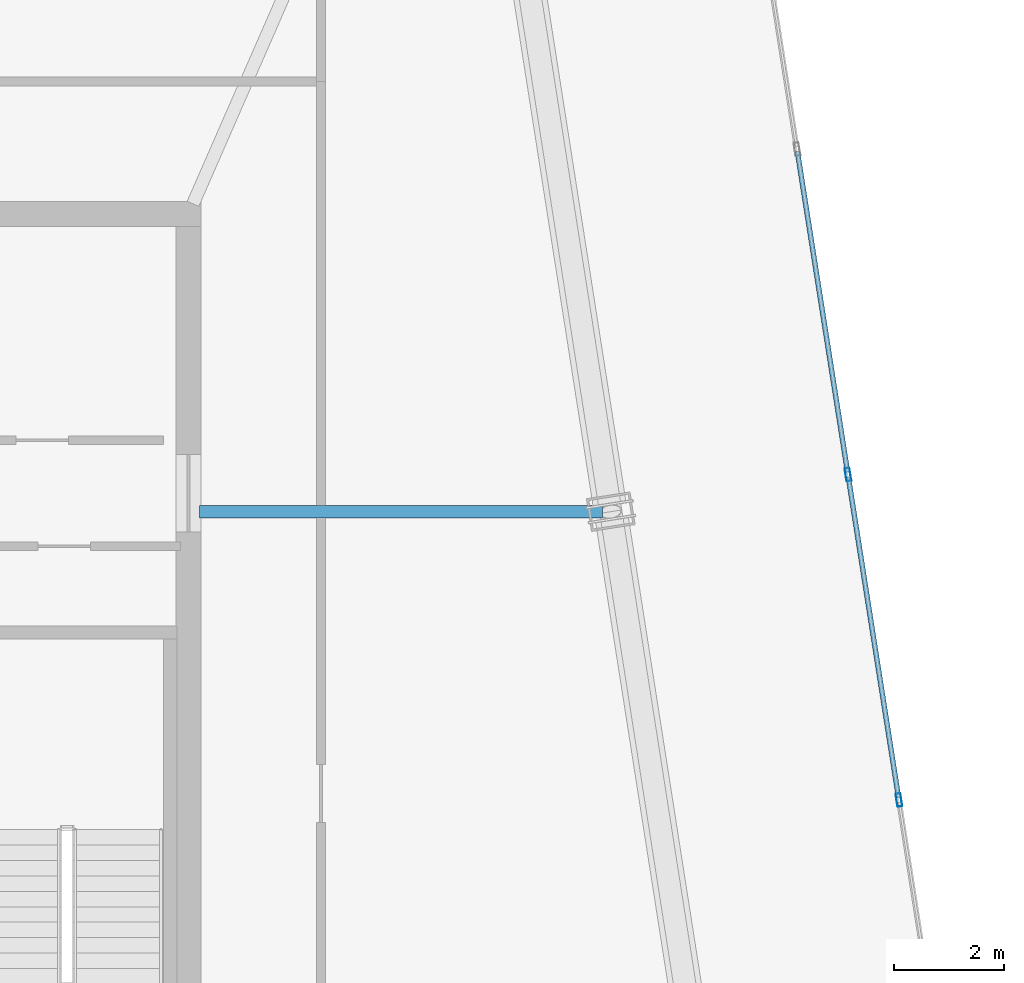
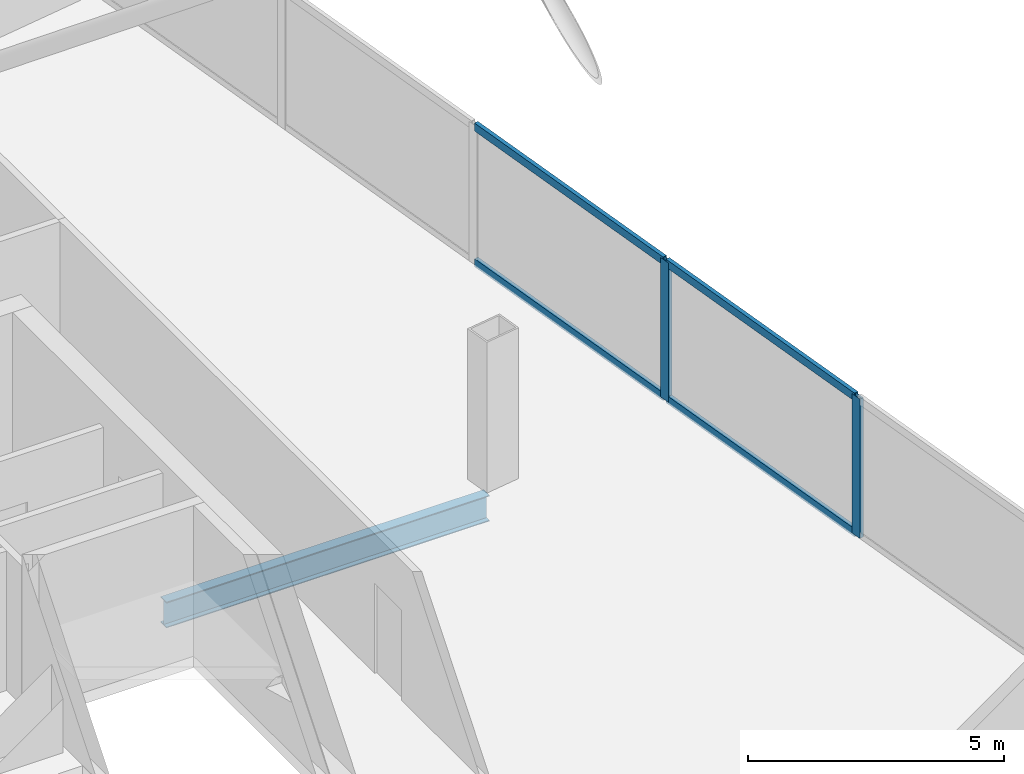
# One storey, part 11 of 21: 6 members, 1 beam, 1 element without a shape of its own.
"""IFC4 building model written with IfcOpenShell, lengths in metres."""

import ifcopenshell
import ifcopenshell.guid

model = None  # the IFC model being written
_history = None  # IfcOwnerHistory: only IFC2X3 demands one
_inside = {}  # id of a spatial element -> (the spatial element, [elements in it])
_under = {}  # id of a project, library or spatial element -> (it, [spatial elements below it])
_declared = {}  # id of a project -> (the project, [libraries it declares])
_typed = {}  # id of a type object -> (the type object, [elements of that type])
_made_of = {}  # id of a material, layer set ... -> (it, [elements and type objects made of it])


def new_model(schema):
    """Start an empty IFC model of exactly this schema.

    Asked for "IFC4X3", IfcOpenShell would pick the latest addendum, in which some entities
    have other attributes; the version numbers below select the first issue.
    IFC2X3 requires an IfcOwnerHistory on every rooted entity: one is made here for all.
    """
    global model, _history
    if schema == "IFC4X3":
        model = ifcopenshell.file(schema_version=(4, 3, 0, 0))
    else:
        model = ifcopenshell.file(schema=schema)
    _inside.clear()
    _under.clear()
    _declared.clear()
    _typed.clear()
    _made_of.clear()
    _history = None
    if model.schema == "IFC2X3":
        org = make("IfcOrganization", Name="unknown")
        user = make(
            "IfcPersonAndOrganization",
            ThePerson=make("IfcPerson", FamilyName="unknown"),
            TheOrganization=org,
        )
        app = make(
            "IfcApplication",
            ApplicationDeveloper=org,
            Version="unknown",
            ApplicationFullName="unknown",
            ApplicationIdentifier="unknown",
        )
        _history = make(
            "IfcOwnerHistory",
            OwningUser=user,
            OwningApplication=app,
            ChangeAction="ADDED",
            CreationDate=0,
        )
    return model


def make(cls, **values):
    """One entity of the class cls with the attributes given. An attribute that is None is left unset."""
    return model.create_entity(
        cls, **{name: value for name, value in values.items() if value is not None}
    )


def rooted(cls, **values):
    """An entity with a GlobalId (a new one), such as an element, a storey or a relation."""
    return make(cls, GlobalId=ifcopenshell.guid.new(), OwnerHistory=_history, **values)


def si_unit(unit_type, name, prefix=None):
    """IfcSIUnit, for example si_unit("LENGTHUNIT", "METRE", prefix="MILLI")."""
    return make("IfcSIUnit", UnitType=unit_type, Prefix=prefix, Name=name)


def assignment(units):
    """IfcUnitAssignment: the units of a project."""
    return None if units is None else make("IfcUnitAssignment", Units=units)


def point(xyz):
    """IfcCartesianPoint."""
    return None if xyz is None else make("IfcCartesianPoint", Coordinates=xyz)


def direction(xyz):
    """IfcDirection."""
    return None if xyz is None else make("IfcDirection", DirectionRatios=xyz)


def frame(location, z_axis=None, x_axis=None):
    """IfcAxis2Placement3D, a coordinate frame: its origin and axes. An axis left out is left unset."""
    return make(
        "IfcAxis2Placement3D",
        Location=point(location),
        Axis=direction(z_axis),
        RefDirection=direction(x_axis),
    )


def frame_2d(location, x_axis=None):
    """IfcAxis2Placement2D, a coordinate frame in the plane: its origin and x axis."""
    return make(
        "IfcAxis2Placement2D", Location=point(location), RefDirection=direction(x_axis)
    )


def origin():
    """The frame at (0, 0, 0) with its axes left unset."""
    return frame((0.0, 0.0, 0.0))


def origin_2d():
    """The frame at (0, 0) in the plane with its x axis left unset."""
    return frame_2d((0.0, 0.0))


def place(relative_to, where):
    """IfcLocalPlacement: puts the frame where relative to a parent placement (None: the world)."""
    return make(
        "IfcLocalPlacement", PlacementRelTo=relative_to, RelativePlacement=where
    )


def context(
    kind, dimensions, precision=None, world=None, true_north=None, identifier=None
):
    """IfcGeometricRepresentationContext, for example the 3D "Model" context."""
    return make(
        "IfcGeometricRepresentationContext",
        ContextIdentifier=identifier,
        ContextType=kind,
        CoordinateSpaceDimension=dimensions,
        Precision=precision,
        WorldCoordinateSystem=world,
        TrueNorth=true_north,
    )


def subcontext(parent, identifier, kind, view, scale=None):
    """IfcGeometricRepresentationSubContext, for example "Body" below "Model"."""
    return make(
        "IfcGeometricRepresentationSubContext",
        ContextIdentifier=identifier,
        ContextType=kind,
        ParentContext=parent,
        TargetScale=scale,
        TargetView=view,
    )


def project(units=None, contexts=None):
    """IfcProject with its units and contexts."""
    return rooted(
        "IfcProject",
        Name="project",
        RepresentationContexts=contexts,
        UnitsInContext=assignment(units),
    )


def spatial(cls, under=None, at=None, **own):
    """A site, building, storey or space (cls), placed at a placement, below another one or the project."""
    s = rooted(cls, ObjectPlacement=at, **own)
    if under is not None:
        _under.setdefault(under.id(), (under, []))[1].append(s)
    return s


def profile(cls, at=None, kind="AREA", **sizes):
    """A parametric profile (cls). Its sizes go by their IFC names, for example OverallWidth=200.0."""
    return make(cls, ProfileType=kind, Position=at, **sizes)


def hollow_rectangle(**sizes):
    """IfcRectangleHollowProfileDef."""
    return profile("IfcRectangleHollowProfileDef", **sizes)


def i_section(**sizes):
    """IfcIShapeProfileDef."""
    return profile("IfcIShapeProfileDef", **sizes)


def extrude(swept, where, along, depth):
    """IfcExtrudedAreaSolid: the profile swept, set in the frame where, extruded along a direction by depth."""
    return make(
        "IfcExtrudedAreaSolid",
        SweptArea=swept,
        Position=where,
        ExtrudedDirection=direction(along),
        Depth=depth,
    )


def shape(context_of_items, identifier, shape_type, items):
    """IfcShapeRepresentation: the items that make up one representation, for example the "Body"."""
    return make(
        "IfcShapeRepresentation",
        ContextOfItems=context_of_items,
        RepresentationIdentifier=identifier,
        RepresentationType=shape_type,
        Items=items,
    )


def material(Name=None, Category=None):
    """IfcMaterial."""
    return make("IfcMaterial", Name=Name, Category=Category)


def material_profile(
    of_material, cross_section, Name=None, Category=None, Priority=None
):
    """IfcMaterialProfile: a cross section and its material."""
    return make(
        "IfcMaterialProfile",
        Name=Name,
        Material=of_material,
        Profile=cross_section,
        Priority=Priority,
        Category=Category,
    )


def profile_set(profiles, Name=None, composite=None):
    """IfcMaterialProfileSet."""
    return make(
        "IfcMaterialProfileSet",
        Name=Name,
        MaterialProfiles=profiles,
        CompositeProfile=composite,
    )


def made_of(thing, what):
    """Note that an element or type object is made of a material, layer set ...; save() writes the relation."""
    if what is not None:
        _made_of.setdefault(what.id(), (what, []))[1].append(thing)
    return thing


def type_object(cls, material=None, **own):
    """A type object (cls), such as IfcWallType, which elements share."""
    return made_of(rooted(cls, **own), material)


def element(
    cls,
    number,
    at=None,
    inside=None,
    cuts=None,
    type_object=None,
    material=None,
    context=None,
    identifier="Body",
    shape_type=None,
    held_by="IfcProductDefinitionShape",
    body=None,
    shapes=None,
    **own,
):
    """One element of the class cls, such as IfcWall. Its Tag is "e" and its number.

    at: its placement. inside: the storey or other place that contains it. cuts: it is an
    opening in that element (IfcRelVoidsElement). A single representation is given by context,
    identifier, shape_type and body (its items); several are given by shapes. held_by: the class
    of the entity that holds the representations. save() writes the other relations.
    """
    e = rooted(cls, Tag="e%d" % number, ObjectPlacement=at, **own)
    if body is not None:
        shapes = [shape(context, identifier, shape_type, body)]
    if shapes is not None:
        e.Representation = make(held_by, Representations=shapes)
    if inside is not None:
        _inside.setdefault(inside.id(), (inside, []))[1].append(e)
    if cuts is not None:
        rooted(
            "IfcRelVoidsElement", RelatingBuildingElement=cuts, RelatedOpeningElement=e
        )
    if type_object is not None:
        _typed.setdefault(type_object.id(), (type_object, []))[1].append(e)
    return made_of(e, material)


def aggregate(whole, parts):
    """IfcRelAggregates: a whole, such as a stair, and the parts it consists of."""
    return rooted("IfcRelAggregates", RelatingObject=whole, RelatedObjects=parts)


def save(model, path):
    """Write the relations noted so far, then the file.

    IfcRelAggregates (storeys below a building ...), IfcRelContainedInSpatialStructure (elements
    in a storey), IfcRelDefinesByType, IfcRelAssociatesMaterial and IfcRelDeclares: one each for
    every whole, place, type object, material and project.
    """
    for whole, parts in _under.values():
        aggregate(whole, parts)
    for where, things in _inside.values():
        rooted(
            "IfcRelContainedInSpatialStructure",
            RelatedElements=things,
            RelatingStructure=where,
        )
    for kind, things in _typed.values():
        rooted("IfcRelDefinesByType", RelatedObjects=things, RelatingType=kind)
    for what, things in _made_of.values():
        rooted("IfcRelAssociatesMaterial", RelatedObjects=things, RelatingMaterial=what)
    for by, libraries in _declared.values():
        rooted("IfcRelDeclares", RelatingContext=by, RelatedDefinitions=libraries)
    model.write(path)


model = new_model("IFC4")

# Units and contexts
model_context = context("Model", 3, precision=1e-05, world=origin(), true_north=direction((0.0, 1.0)))
body_context = subcontext(model_context, "Body", "Model", "MODEL_VIEW")
ifc_project = project(units=[si_unit("LENGTHUNIT", "METRE"), si_unit("AREAUNIT", "SQUARE_METRE"), si_unit("VOLUMEUNIT", "CUBIC_METRE"), si_unit("PLANEANGLEUNIT", "RADIAN"), si_unit("MASSUNIT", "GRAM", prefix="KILO")], contexts=[model_context])

# Site, building, storey
site_placement = place(None, origin())
site = spatial("IfcSite", under=ifc_project, at=site_placement, CompositionType="ELEMENT")
building_placement = place(site_placement, origin())
building = spatial("IfcBuilding", under=site, at=building_placement, Name="Haldenkirk Collegiate Tower", CompositionType="ELEMENT")
storey_placement = place(building_placement, frame((0.0, 0.0, 360.60009765625)))
storey = spatial("IfcBuildingStorey", under=building, at=storey_placement, Name="L91", CompositionType="ELEMENT", Elevation=360.60009765625)

# Beam
ifc_material_1 = material(Name="Steel ASTM A992 Grade 50", Category="steel")
ifc_material_profile_1 = material_profile(ifc_material_1, i_section(OverallWidth=0.22998046875, OverallDepth=0.616943359375, WebThickness=0.01318359375, FlangeThickness=0.022216796875, at=origin_2d()), Name="W24X94")
ifc_profile_set_1 = profile_set([ifc_material_profile_1], Name="Steel ASTM A992 Grade 50")
beam_type = type_object("IfcBeamType", Name="BM-GIRDER-W24X94", PredefinedType="BEAM", material=ifc_profile_set_1)
beam_placement = place(storey_placement, frame((52.4970703125, 28.60693359375, -0.57861328125), z_axis=(-1.0, 0.0, 0.0), x_axis=(0.0, -1.0, 0.0)))
element("IfcBeam", 1, at=beam_placement, inside=storey, type_object=beam_type, Name="L91 crown radial floor beam 2", PredefinedType="BEAM", context=body_context, shape_type="SweptSolid", body=[
    extrude(i_section(OverallWidth=0.22998046875, OverallDepth=0.616943359375, WebThickness=0.01318359375, FlangeThickness=0.022216796875, at=origin_2d()), origin(), (0.0, 0.0, 1.0), 7.297119140625),
])

# Curtain wall, members
ifc_material_2 = material(Name="Anodised architectural bronze aluminium", Category="aluminium")
curtain_wall_type = type_object("IfcCurtainWallType", Name="CW-SYS6-CROWN", PredefinedType="USERDEFINED", material=ifc_material_2)
curtain_wall_placement = place(storey_placement, origin())
curtain_wall = element("IfcCurtainWall", 2, at=curtain_wall_placement, inside=storey, type_object=curtain_wall_type, Name="L91 Closed crown ring ceramic-fritted bronze screen curtain wall", ObjectType="UNITISED CURTAIN WALL", PredefinedType="USERDEFINED")
ifc_material_profile_2 = material_profile(ifc_material_2, hollow_rectangle(XDim=0.090087890625, YDim=0.239990234375, WallThickness=0.0048828125, at=origin_2d()), Name="CW-MUL-06")
ifc_profile_set_2 = profile_set([ifc_material_profile_2], Name="Anodised architectural bronze aluminium")
member_type_1 = type_object("IfcMemberType", Name="CW-MUL-06", PredefinedType="MULLION", material=ifc_profile_set_2)
member_1_placement = place(storey_placement, frame((56.94482421875, 29.27978515625, 0.0), z_axis=(0.0, 0.0, 1.0), x_axis=(0.987959532462, 0.154712514742, 0.0)))
member_1 = element("IfcMember", 3, at=member_1_placement, type_object=member_type_1, Name="CW-06 mullion 4", PredefinedType="MULLION", context=body_context, shape_type="SweptSolid", body=[
    extrude(hollow_rectangle(XDim=0.090087890625, YDim=0.239990234375, WallThickness=0.0048828125, at=origin_2d()), origin(), (0.0, 0.0, 1.0), 3.329833984375),
])
member_2_placement = place(storey_placement, frame((57.867919921875, 23.385009765625, 0.0), z_axis=(0.0, 0.0, 1.0), x_axis=(0.987959532462, 0.154712514742, 0.0)))
member_2 = element("IfcMember", 4, at=member_2_placement, type_object=member_type_1, Name="CW-06 mullion 5", PredefinedType="MULLION", context=body_context, shape_type="SweptSolid", body=[
    extrude(hollow_rectangle(XDim=0.090087890625, YDim=0.239990234375, WallThickness=0.0048828125, at=origin_2d()), origin(), (0.0, 0.0, 1.0), 3.329833984375),
])
ifc_material_profile_3 = material_profile(ifc_material_2, hollow_rectangle(XDim=0.090087890625, YDim=0.18994140625, WallThickness=0.0048828125, at=origin_2d()), Name="CW-TRN-06")
ifc_profile_set_3 = profile_set([ifc_material_profile_3], Name="Anodised architectural bronze aluminium")
member_type_2 = type_object("IfcMemberType", Name="CW-TRN-06", PredefinedType="USERDEFINED", material=ifc_profile_set_3)
member_3_placement = place(storey_placement, frame((56.028564453125, 35.130126953125, 0.044921875), z_axis=(0.154710174658, -0.987959898912, 0.0), x_axis=(0.987959898912, 0.154710174658, 0.0)))
member_3 = element("IfcMember", 5, at=member_3_placement, type_object=member_type_2, Name="CW-06 transom 3.1", ObjectType="TRANSOM", PredefinedType="USERDEFINED", context=body_context, shape_type="SweptSolid", body=[
    extrude(hollow_rectangle(XDim=0.090087890625, YDim=0.18994140625, WallThickness=0.0048828125, at=origin_2d()), origin(), (0.0, 0.0, 1.0), 5.876708984375),
])
member_4_placement = place(storey_placement, frame((56.028564453125, 35.130126953125, 3.284912109375), z_axis=(0.154710174658, -0.987959898912, 0.0), x_axis=(0.987959898912, 0.154710174658, 0.0)))
member_4 = element("IfcMember", 6, at=member_4_placement, type_object=member_type_2, Name="CW-06 transom 3.2", ObjectType="TRANSOM", PredefinedType="USERDEFINED", context=body_context, shape_type="SweptSolid", body=[
    extrude(hollow_rectangle(XDim=0.090087890625, YDim=0.18994140625, WallThickness=0.0048828125, at=origin_2d()), origin(), (0.0, 0.0, 1.0), 5.876708984375),
])
member_5_placement = place(storey_placement, frame((56.95166015625, 29.2353515625, 0.044921875), z_axis=(0.154710174658, -0.987959898912, 0.0), x_axis=(0.987959898912, 0.154710174658, 0.0)))
member_5 = element("IfcMember", 7, at=member_5_placement, type_object=member_type_2, Name="CW-06 transom 4.1", ObjectType="TRANSOM", PredefinedType="USERDEFINED", context=body_context, shape_type="SweptSolid", body=[
    extrude(hollow_rectangle(XDim=0.090087890625, YDim=0.18994140625, WallThickness=0.0048828125, at=origin_2d()), origin(), (0.0, 0.0, 1.0), 5.876708984375),
])
member_6_placement = place(storey_placement, frame((56.95166015625, 29.2353515625, 3.284912109375), z_axis=(0.154710174658, -0.987959898912, 0.0), x_axis=(0.987959898912, 0.154710174658, 0.0)))
member_6 = element("IfcMember", 8, at=member_6_placement, type_object=member_type_2, Name="CW-06 transom 4.2", ObjectType="TRANSOM", PredefinedType="USERDEFINED", context=body_context, shape_type="SweptSolid", body=[
    extrude(hollow_rectangle(XDim=0.090087890625, YDim=0.18994140625, WallThickness=0.0048828125, at=origin_2d()), origin(), (0.0, 0.0, 1.0), 5.876708984375),
])
aggregate(curtain_wall, [member_1, member_2, member_3, member_4, member_5, member_6])

save(model, "model.ifc")
